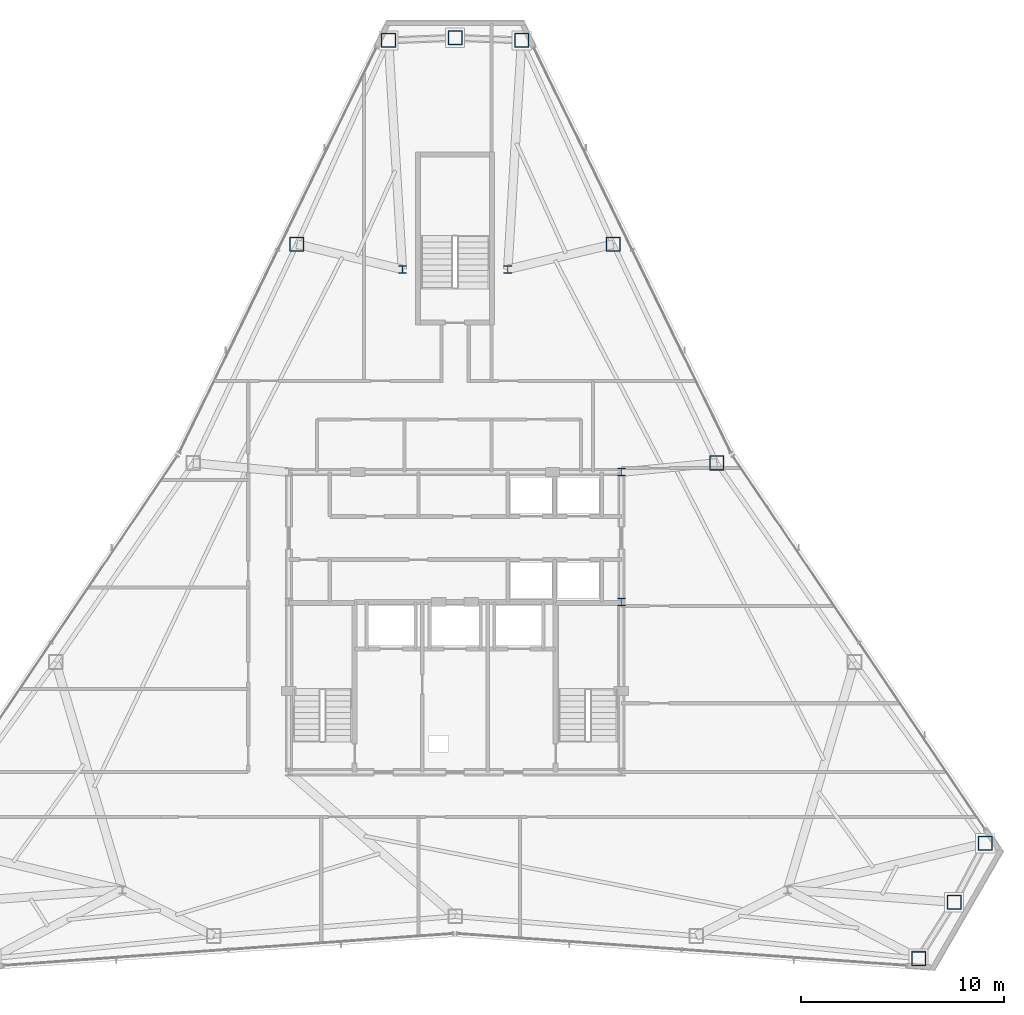
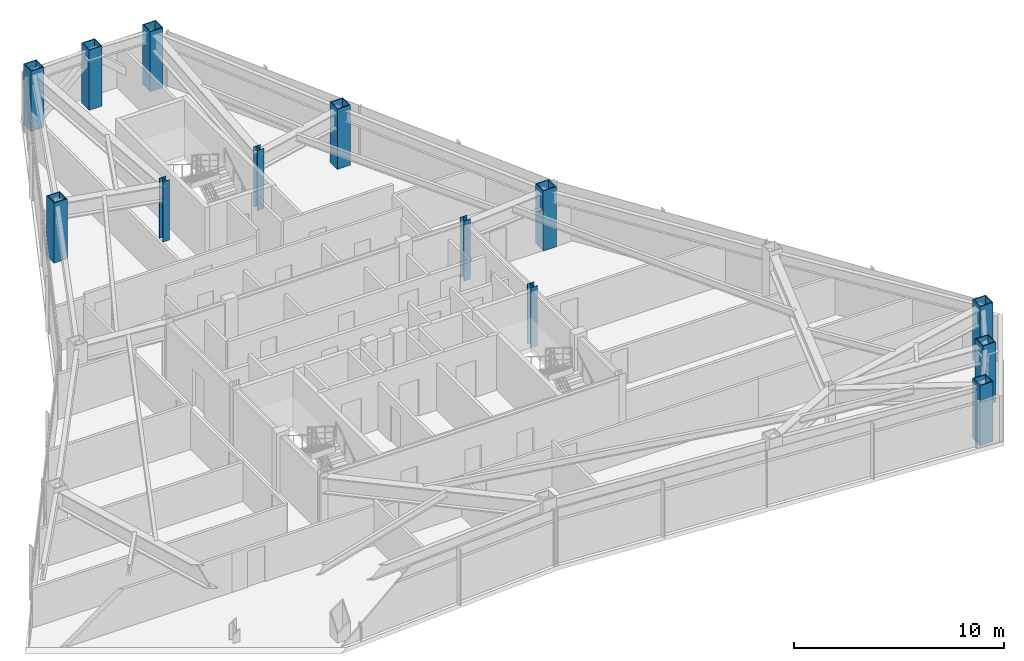
# One storey, part 2 of 12: 13 columns.
"""IFC4 building model written with IfcOpenShell, lengths in metres."""

from ifc_helpers import new_model, si_unit, direction, frame, origin, origin_2d, place, context, subcontext, project, spatial, hollow_rectangle, i_section, extrude, material, material_profile, profile_set, type_object, element, save


model = new_model("IFC4")

# Units and contexts
model_context = context("Model", 3, precision=1e-05, world=origin(), true_north=direction((0.0, 1.0)))
body_context = subcontext(model_context, "Body", "Model", "MODEL_VIEW")
ifc_project = project(units=[si_unit("LENGTHUNIT", "METRE"), si_unit("AREAUNIT", "SQUARE_METRE"), si_unit("VOLUMEUNIT", "CUBIC_METRE"), si_unit("PLANEANGLEUNIT", "RADIAN"), si_unit("MASSUNIT", "GRAM", prefix="KILO")], contexts=[model_context])

# Site, building, storey
site_placement = place(None, origin())
site = spatial("IfcSite", under=ifc_project, at=site_placement, CompositionType="ELEMENT")
building_placement = place(site_placement, origin())
building = spatial("IfcBuilding", under=site, at=building_placement, Name="Varakhsha Concourse Tower", CompositionType="ELEMENT")
storey_placement = place(building_placement, frame((0.0, 0.0, 204.89990234375)))
storey = spatial("IfcBuildingStorey", under=building, at=storey_placement, Name="L58", CompositionType="ELEMENT", Elevation=204.89990234375)

# Columns
ifc_material_1 = material(Name="Structural Steel ASTM A992 Grade 50", Category="steel")
ifc_material_profile_1 = material_profile(ifc_material_1, i_section(OverallWidth=0.3740234375, OverallDepth=0.3720703125, WebThickness=0.01611328125, FlangeThickness=0.02587890625, at=origin_2d()), Name="W14X132")
ifc_profile_set_1 = profile_set([ifc_material_profile_1], Name="Structural Steel ASTM A992 Grade 50")
column_type_1 = type_object("IfcColumnType", Name="CL-CORE-W14X132", PredefinedType="COLUMN", material=ifc_profile_set_1)
for number, where, z_axis, x_axis, name in (
    (1, (48.199951171875, 24.800048828125, 0.0), (0.0, 0.0, 1.0), (1.0, 0.0, 0.0), "L58 Core Column CC-ME"),
    (2, (48.199951171875, 31.199951171875, 0.0), (0.0, 0.0, 1.0), (1.0, 0.0, 0.0), "L58 Core Column CC-NE"),
    (3, (37.39990234375, 41.199951171875, 0.0), (0.0, 0.0, 1.0), (1.0, 0.0, 0.0), "L58 Core Column NS-W"),
    (4, (42.60009765625, 41.199951171875, 0.0), (0.0, 0.0, 1.0), (1.0, 0.0, 0.0), "L58 Core Column NS-E"),
):
    element("IfcColumn", number, at=place(storey_placement, frame(where, z_axis=z_axis, x_axis=x_axis)), inside=storey, type_object=column_type_1, Name=name, PredefinedType="COLUMN", context=body_context, shape_type="SweptSolid", body=[
        extrude(i_section(OverallWidth=0.3740234375, OverallDepth=0.3720703125, WebThickness=0.01611328125, FlangeThickness=0.02587890625, at=origin_2d()), origin(), (0.0, 0.0, 1.0), 3.5),
    ])
ifc_material_2 = material(Name="Structural Steel ASTM A572 Grade 50", Category="steel")
ifc_material_profile_2 = material_profile(ifc_material_2, hollow_rectangle(XDim=0.719970703125, YDim=0.719970703125, WallThickness=0.050048828125, at=origin_2d()), Name="BOX 720x720x50")
ifc_profile_set_2 = profile_set([ifc_material_profile_2], Name="Structural Steel ASTM A572 Grade 50")
column_type_2 = type_object("IfcColumnType", Name="CL-TUBE-720", PredefinedType="COLUMN", material=ifc_profile_set_2)
for number, where, z_axis, x_axis, name in (
    (5, (43.283203125, 52.492431640625, 0.0), (0.0, 0.0, 1.0), (1.0, 0.0, 0.0), "L58 Framed-Tube Column TC01"),
    (6, (40.0, 52.61767578125, 0.0), (0.0, 0.0, 1.0), (1.0, 0.0, 0.0), "L58 Framed-Tube Column TC02"),
    (7, (36.716796875, 52.492431640625, 0.0), (0.0, 0.0, 1.0), (1.0, 0.0, 0.0), "L58 Framed-Tube Column TC03"),
    (8, (32.199951171875, 42.442626953125, 0.0), (0.0, 0.0, 1.0), (1.0, 0.0, 0.0), "L58 Framed-Tube Column TC04"),
    (9, (62.8603515625, 7.210205078125, 0.0), (0.0, 0.0, 1.0), (1.0, 0.0, 0.0), "L58 Framed-Tube Column TC13"),
    (10, (64.610595703125, 9.9912109375, 0.0), (0.0, 0.0, 1.0), (1.0, 0.0, 0.0), "L58 Framed-Tube Column TC14"),
    (11, (66.143798828125, 12.897216796875, 0.0), (0.0, 0.0, 1.0), (1.0, 0.0, 0.0), "L58 Framed-Tube Column TC15"),
    (12, (52.90625, 31.651611328125, 0.0), (0.0, 0.0, 1.0), (1.0, 0.0, 0.0), "L58 Framed-Tube Column TC17"),
    (13, (47.800048828125, 42.442626953125, 0.0), (0.0, 0.0, 1.0), (1.0, 0.0, 0.0), "L58 Framed-Tube Column TC18"),
):
    element("IfcColumn", number, at=place(storey_placement, frame(where, z_axis=z_axis, x_axis=x_axis)), inside=storey, type_object=column_type_2, Name=name, PredefinedType="COLUMN", context=body_context, shape_type="SweptSolid", body=[
        extrude(hollow_rectangle(XDim=0.719970703125, YDim=0.719970703125, WallThickness=0.050048828125, at=origin_2d()), origin(), (0.0, 0.0, 1.0), 3.5),
    ])

save(model, "model.ifc")
